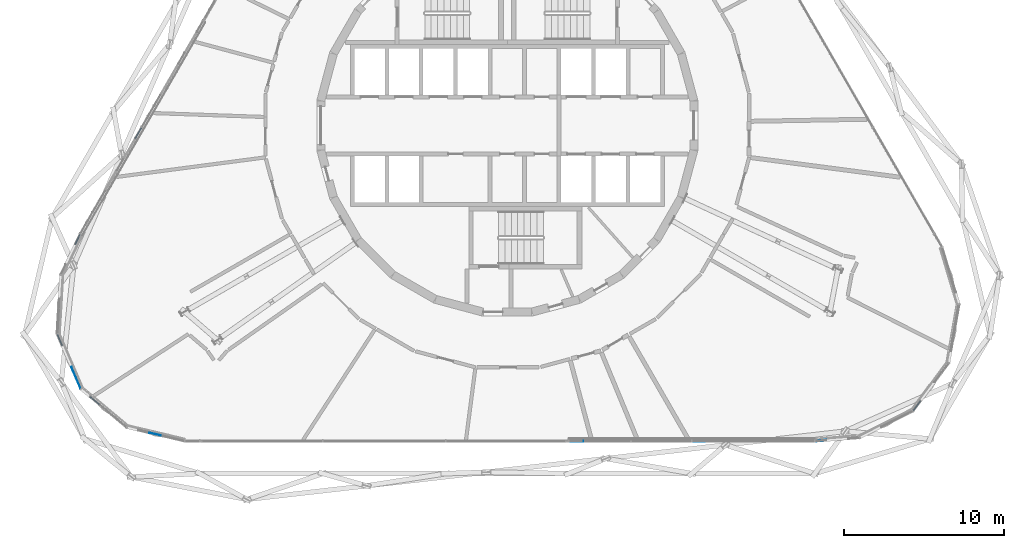
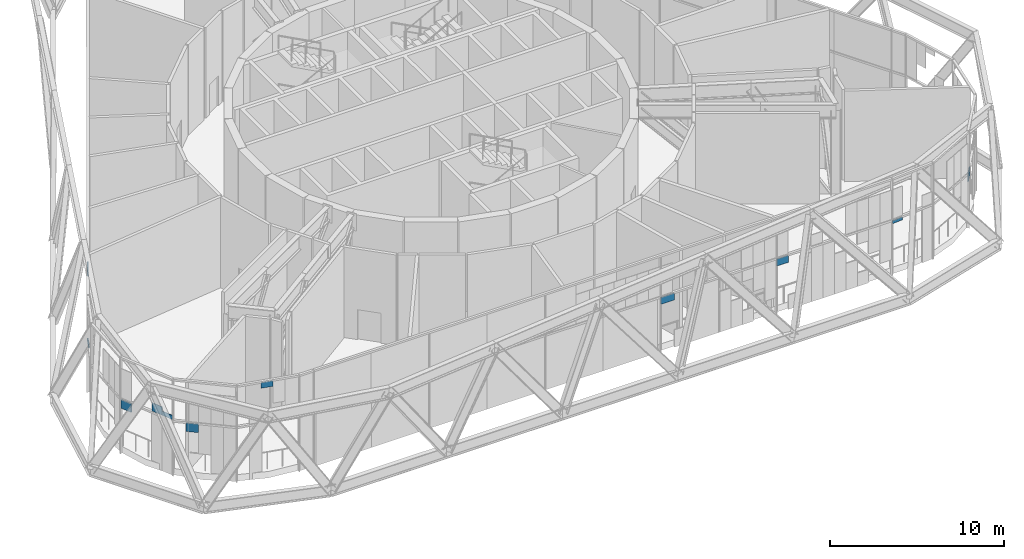
# One storey, part 20 of 29: 11 plates, 4 elements without a shape of their own.
"""IFC4 building model written with IfcOpenShell, lengths in metres."""

from ifc_helpers import new_model, si_unit, direction, frame, origin, origin_2d, place, context, subcontext, project, spatial, rectangle, extrude, material, layer, layer_set, type_object, element, aggregate, save


model = new_model("IFC4")

# Units and contexts
model_context = context("Model", 3, precision=1e-05, world=origin(), true_north=direction((0.0, 1.0)))
body_context = subcontext(model_context, "Body", "Model", "MODEL_VIEW")
ifc_project = project(units=[si_unit("LENGTHUNIT", "METRE"), si_unit("AREAUNIT", "SQUARE_METRE"), si_unit("VOLUMEUNIT", "CUBIC_METRE"), si_unit("PLANEANGLEUNIT", "RADIAN"), si_unit("MASSUNIT", "GRAM", prefix="KILO")], contexts=[model_context])

# Site, building, storey
site_placement = place(None, origin())
site = spatial("IfcSite", under=ifc_project, at=site_placement, CompositionType="ELEMENT")
building_placement = place(site_placement, origin())
building = spatial("IfcBuilding", under=site, at=building_placement, Name="Spindle Arch Residences", CompositionType="ELEMENT")
storey_placement = place(building_placement, frame((0.0, 0.0, 69.89990234375)))
storey = spatial("IfcBuildingStorey", under=building, at=storey_placement, Name="L16", CompositionType="ELEMENT", Elevation=69.89990234375)

# Curtain wall, plates
ifc_material_1 = material(Name="Aluminium bronze unitised frame with tinted glass", Category="aluminium")
ifc_layer_1 = layer(ifc_material_1, 0.159912109375)
ifc_layer_set_1 = layer_set([ifc_layer_1], Name="CW-E double-height winter garden wall")
curtain_wall_type = type_object("IfcCurtainWallType", Name="CW-E double-height winter garden wall", PredefinedType="NOTDEFINED", material=ifc_layer_set_1)
curtain_wall_1_placement = place(storey_placement, origin())
curtain_wall_1 = element("IfcCurtainWall", 1, at=curtain_wall_1_placement, inside=storey, type_object=curtain_wall_type, Name="CW-E L16 run 5", PredefinedType="NOTDEFINED")
ifc_material_2 = material(Name="Tinted laminated glass 28 mm", Category="glass")
ifc_layer_2 = layer(ifc_material_2, 0.028076171875)
ifc_layer_set_2 = layer_set([ifc_layer_2], Name="Tinted glass panel 28 mm")
plate_type_1 = type_object("IfcPlateType", Name="Tinted glass panel 28 mm", PredefinedType="CURTAIN_PANEL", material=ifc_layer_set_2)
plate_1_placement = place(storey_placement, frame((-27.072265625, -15.417236328125, 3.460205078125), z_axis=(0.0, 0.0, 1.0), x_axis=(0.396079766691, -0.918216106599, 0.0)))
plate_1 = element("IfcPlate", 2, at=plate_1_placement, type_object=plate_type_1, Name="CW-E panel 02b.2", PredefinedType="CURTAIN_PANEL", context=body_context, shape_type="SweptSolid", body=[
    extrude(rectangle(XDim=0.7333984375, YDim=0.028076171875, at=origin_2d()), origin(), (0.0, 0.0, 1.0), 0.583984375),
])
plate_2_placement = place(storey_placement, frame((-26.781982421875, -16.0908203125, 3.4599609375), z_axis=(0.0, 0.0, 1.0), x_axis=(0.396079766691, -0.918216106599, 0.0)))
plate_2 = element("IfcPlate", 3, at=plate_2_placement, type_object=plate_type_1, Name="CW-E panel 02b.3", PredefinedType="CURTAIN_PANEL", context=body_context, shape_type="SweptSolid", body=[
    extrude(rectangle(XDim=0.7333984375, YDim=0.028076171875, at=origin_2d()), origin(), (0.0, 0.0, 1.0), 0.294189453125),
])
plate_3_placement = place(storey_placement, frame((-21.9970703125, -19.2705078125, 5.830078125), z_axis=(0.0, 0.0, 1.0), x_axis=(0.973044871028, -0.230615868852, 0.0)))
plate_3 = element("IfcPlate", 4, at=plate_3_placement, type_object=plate_type_1, Name="CW-E panel 04b.2", PredefinedType="CURTAIN_PANEL", context=body_context, shape_type="SweptSolid", body=[
    extrude(rectangle(XDim=0.716796875, YDim=0.028076171875, at=origin_2d()), origin(), (0.0, 0.0, 1.0), 0.39990234375),
])

curtain_wall_2_placement = place(storey_placement, origin())
curtain_wall_2 = element("IfcCurtainWall", 5, at=curtain_wall_2_placement, inside=storey, type_object=curtain_wall_type, Name="CW-E L16 run 1", PredefinedType="NOTDEFINED")
ifc_material_3 = material(Name="Tinted double glazing over aluminium faced non-combustible spandrel zone (K0)", Category="aluminium")
ifc_layer_3 = layer(ifc_material_3, 0.06005859375)
ifc_layer_set_3 = layer_set([ifc_layer_3], Name="Unitised glass panel with E 60 spandrel zone")
plate_type_2 = type_object("IfcPlateType", Name="Unitised glass panel with E 60 spandrel zone", PredefinedType="CURTAIN_PANEL", material=ifc_layer_set_3)
plate_4_placement = place(storey_placement, frame((19.573486328125, -19.680908203125, 3.143310546875), z_axis=(0.0, 0.0, 1.0), x_axis=(0.997002907861, 0.077364085451, 0.0)))
plate_4 = element("IfcPlate", 6, at=plate_4_placement, type_object=plate_type_2, Name="CW-E panel 00a.1", PredefinedType="CURTAIN_PANEL", context=body_context, shape_type="SweptSolid", body=[
    extrude(rectangle(XDim=0.688720703125, YDim=0.06005859375, at=origin_2d()), origin(), (0.0, 0.0, 1.0), 0.19677734375),
])
plate_5_placement = place(storey_placement, frame((25.57421875, -17.50146484375, 2.739990234375), z_axis=(0.0, 0.0, 1.0), x_axis=(0.597158595823, 0.802123189687, 0.0)))
plate_5 = element("IfcPlate", 7, at=plate_5_placement, type_object=plate_type_2, Name="CW-E panel 02a.1", PredefinedType="CURTAIN_PANEL", context=body_context, shape_type="SweptSolid", body=[
    extrude(rectangle(XDim=0.7333984375, YDim=0.06005859375, at=origin_2d()), origin(), (0.0, 0.0, 1.0), 0.60009765625),
])
aggregate(curtain_wall_2, [plate_4, plate_5])

# Curtain wall, plate
curtain_wall_3_placement = place(storey_placement, origin())
curtain_wall_3 = element("IfcCurtainWall", 8, at=curtain_wall_3_placement, inside=storey, type_object=curtain_wall_type, Name="CW-E L16 run 4", PredefinedType="NOTDEFINED")
plate_6_placement = place(storey_placement, frame((-23.034912109375, -0.477783203125, 2.854248046875), z_axis=(0.0, 0.0, 1.0), x_axis=(-0.5, -0.866025403784, 0.0)))
plate_6 = element("IfcPlate", 9, at=plate_6_placement, type_object=plate_type_2, Name="CW-E panel 17Aa.1", PredefinedType="CURTAIN_PANEL", context=body_context, shape_type="SweptSolid", body=[
    extrude(rectangle(XDim=0.761962890625, YDim=0.06005859375, at=origin_2d()), origin(), (0.0, 0.0, 1.0), 0.48583984375),
])
aggregate(curtain_wall_3, [plate_6])

# Plate
plate_7_placement = place(storey_placement, frame((-26.830810546875, -7.110595703125, 3.1435546875), z_axis=(0.0, 0.0, 1.0), x_axis=(-0.431502189519, -0.902111889092, 0.0)))
plate_7 = element("IfcPlate", 10, at=plate_7_placement, type_object=plate_type_2, Name="CW-E panel 00a.1", PredefinedType="CURTAIN_PANEL", context=body_context, shape_type="SweptSolid", body=[
    extrude(rectangle(XDim=0.688720703125, YDim=0.06005859375, at=origin_2d()), origin(), (0.0, 0.0, 1.0), 0.196533203125),
])

plate_8_placement = place(storey_placement, frame((-27.943603515625, -13.397216796875, 2.739990234375), z_axis=(0.0, 0.0, 1.0), x_axis=(0.396079766691, -0.918216106599, 0.0)))
plate_8 = element("IfcPlate", 11, at=plate_8_placement, type_object=plate_type_2, Name="CW-E panel 02a.1", PredefinedType="CURTAIN_PANEL", context=body_context, shape_type="SweptSolid", body=[
    extrude(rectangle(XDim=0.7333984375, YDim=0.06005859375, at=origin_2d()), origin(), (0.0, 0.0, 1.0), 0.60009765625),
])

plate_9_placement = place(storey_placement, frame((-25.759033203125, -17.181396484375, 2.749267578125), z_axis=(0.0, 0.0, 1.0), x_axis=(0.766044445239, -0.64278760716, 0.0)))
plate_9 = element("IfcPlate", 12, at=plate_9_placement, type_object=plate_type_2, Name="CW-E panel 03a.1", PredefinedType="CURTAIN_PANEL", context=body_context, shape_type="SweptSolid", body=[
    extrude(rectangle(XDim=0.7333984375, YDim=0.06005859375, at=origin_2d()), origin(), (0.0, 0.0, 1.0), 0.5908203125),
])

aggregate(curtain_wall_1, [plate_7, plate_8, plate_1, plate_2, plate_9, plate_3])

# Curtain wall, plates
curtain_wall_4_placement = place(storey_placement, origin())
curtain_wall_4 = element("IfcCurtainWall", 13, at=curtain_wall_4_placement, inside=storey, type_object=curtain_wall_type, Name="CW-E L16 run 6", PredefinedType="NOTDEFINED")
plate_10_placement = place(storey_placement, frame((4.309326171875, -19.7099609375, 2.869384765625), z_axis=(0.0, 0.0, 1.0), x_axis=(1.0, 0.0, 0.0)))
plate_10 = element("IfcPlate", 14, at=plate_10_placement, type_object=plate_type_2, Name="CW-E panel 00Aa.1", PredefinedType="CURTAIN_PANEL", context=body_context, shape_type="SweptSolid", body=[
    extrude(rectangle(XDim=0.87841796875, YDim=0.06005859375, at=origin_2d()), origin(), (0.0, 0.0, 1.0), 0.470703125),
])
plate_11_placement = place(storey_placement, frame((11.93115234375, -19.7099609375, 2.85400390625), z_axis=(0.0, 0.0, 1.0), x_axis=(1.0, 0.0, 0.0)))
plate_11 = element("IfcPlate", 15, at=plate_11_placement, type_object=plate_type_2, Name="CW-E panel 01Aa.1", PredefinedType="CURTAIN_PANEL", context=body_context, shape_type="SweptSolid", body=[
    extrude(rectangle(XDim=0.761962890625, YDim=0.06005859375, at=origin_2d()), origin(), (0.0, 0.0, 1.0), 0.486083984375),
])
aggregate(curtain_wall_4, [plate_10, plate_11])

save(model, "model.ifc")
